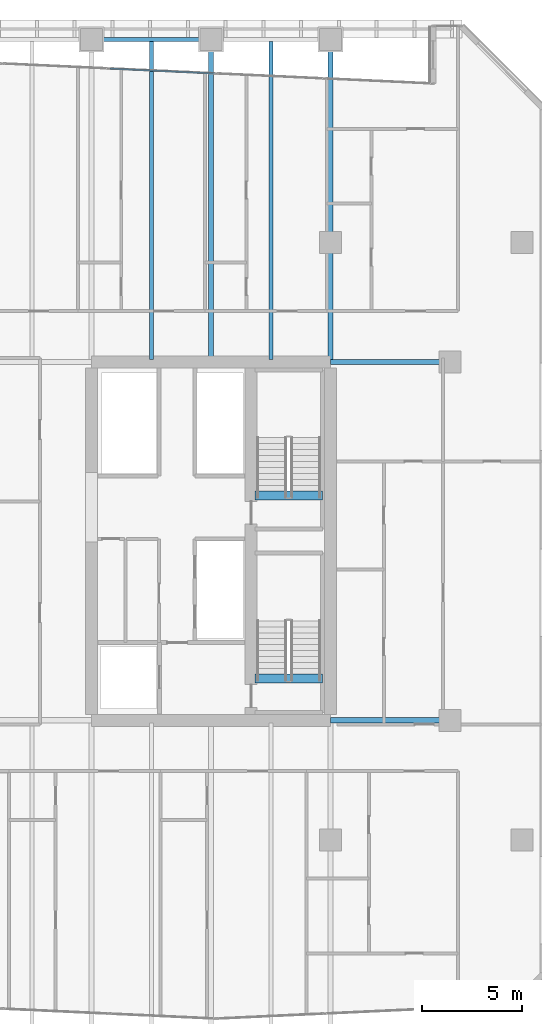
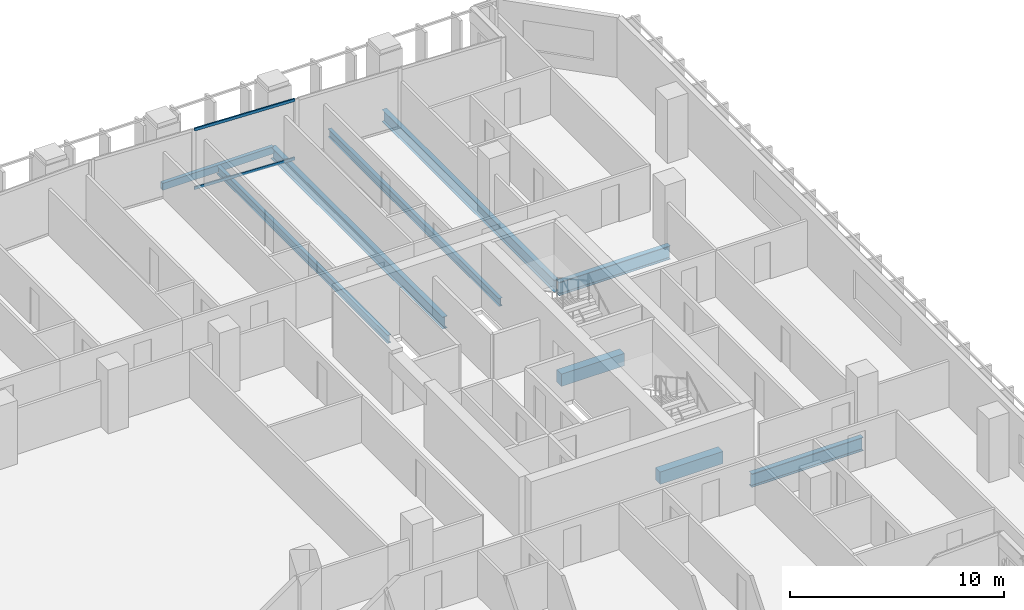
# One storey, part 17 of 32: 9 beams, 2 members, 1 element without a shape of its own.
"""IFC4 building model written with IfcOpenShell, lengths in metres."""

from ifc_helpers import new_model, si_unit, direction, frame, origin, origin_2d, place, context, subcontext, project, spatial, rectangle, hollow_rectangle, i_section, extrude, material, layer, layer_set, material_profile, profile_set, type_object, element, aggregate, save


model = new_model("IFC4")

# Units and contexts
model_context = context("Model", 3, precision=1e-05, world=origin(), true_north=direction((0.0, 1.0)))
body_context = subcontext(model_context, "Body", "Model", "MODEL_VIEW")
ifc_project = project(units=[si_unit("LENGTHUNIT", "METRE"), si_unit("AREAUNIT", "SQUARE_METRE"), si_unit("VOLUMEUNIT", "CUBIC_METRE"), si_unit("PLANEANGLEUNIT", "RADIAN"), si_unit("MASSUNIT", "GRAM", prefix="KILO")], contexts=[model_context])

# Site, building, storey
site_placement = place(None, origin())
site = spatial("IfcSite", under=ifc_project, at=site_placement, CompositionType="ELEMENT")
building_placement = place(site_placement, origin())
building = spatial("IfcBuilding", under=site, at=building_placement, Name="Tanjung Sevakor Pilgrim Tower", CompositionType="ELEMENT")
storey_placement = place(building_placement, frame((0.0, 0.0, 62.3701171875)))
storey = spatial("IfcBuildingStorey", under=building, at=storey_placement, Name="L17", CompositionType="ELEMENT", Elevation=62.3701171875)

# Beams
ifc_material_1 = material(Name="Steel S355J2", Category="steel")
ifc_material_profile_1 = material_profile(ifc_material_1, i_section(OverallWidth=0.26806640625, OverallDepth=0.769775390625, WebThickness=0.015625, FlangeThickness=0.025390625, FilletRadius=0.0166015625, at=origin_2d()))
ifc_profile_set_1 = profile_set([ifc_material_profile_1], Name="Steel S355J2")
beam_type_1 = type_object("IfcBeamType", Name="BM-B-G1-UB_762x267x197", PredefinedType="BEAM", material=ifc_profile_set_1)
for number, where, z_axis, x_axis, name in (
    (1, (90.0, 24.60009765625, -0.60498046875), (1.0, 0.0, 0.0), (0.0, 1.0, 0.0), "L17 Primary Floor Girder MAIN Y246-09"),
    (2, (90.0, 42.60009765625, -0.60498046875), (1.0, 0.0, 0.0), (0.0, 1.0, 0.0), "L17 Primary Floor Girder MAIN Y426-09"),
):
    element("IfcBeam", number, at=place(storey_placement, frame(where, z_axis=z_axis, x_axis=x_axis)), inside=storey, type_object=beam_type_1, Name=name, PredefinedType="BEAM", context=body_context, shape_type="SweptSolid", body=[
        extrude(i_section(OverallWidth=0.26806640625, OverallDepth=0.769775390625, WebThickness=0.015625, FlangeThickness=0.025390625, FilletRadius=0.0166015625, at=origin_2d()), origin(), (0.0, 0.0, 1.0), 6.0),
    ])
ifc_material_2 = material(Name="Steel S355J2", Category="steel")
ifc_material_profile_2 = material_profile(ifc_material_2, i_section(OverallWidth=0.25439453125, OverallDepth=0.6875, WebThickness=0.01318359375, FlangeThickness=0.02099609375, FilletRadius=0.01513671875, at=origin_2d()))
ifc_profile_set_2 = profile_set([ifc_material_profile_2], Name="Steel S355J2")
beam_type_2 = type_object("IfcBeamType", Name="BM-B-G2-UB_686x254x152", PredefinedType="BEAM", material=ifc_profile_set_2)
for number, where, z_axis, x_axis, name in (
    (3, (84.0, 42.73388671875, -0.56396484375), (0.0, 1.0, 0.0), (-1.0, 0.0, 0.0), "L17 MAIN Girder 042"),
    (4, (90.0, 42.73388671875, -0.56396484375), (0.0, 1.0, 0.0), (-1.0, 0.0, 0.0), "L17 MAIN Girder 046"),
):
    element("IfcBeam", number, at=place(storey_placement, frame(where, z_axis=z_axis, x_axis=x_axis)), inside=storey, type_object=beam_type_2, Name=name, PredefinedType="BEAM", context=body_context, shape_type="SweptSolid", body=[
        extrude(i_section(OverallWidth=0.25439453125, OverallDepth=0.6875, WebThickness=0.01318359375, FlangeThickness=0.02099609375, FilletRadius=0.01513671875, at=origin_2d()), origin(), (0.0, 0.0, 1.0), 16.066162109375),
    ])
ifc_material_3 = material(Name="Steel S355J2", Category="steel")
ifc_material_profile_3 = material_profile(ifc_material_3, i_section(OverallWidth=0.19140625, OverallDepth=0.4599609375, WebThickness=0.010009765625, FlangeThickness=0.01611328125, FilletRadius=0.01025390625, at=origin_2d()))
ifc_profile_set_3 = profile_set([ifc_material_profile_3], Name="Steel S355J2")
beam_type_3 = type_object("IfcBeamType", Name="BM-B-J2-UB_457x191x82", PredefinedType="JOIST", material=ifc_profile_set_3)
for number, where, z_axis, x_axis, name in (
    (5, (81.0, 42.73388671875, -0.4501953125), (0.0, 1.0, 0.0), (-1.0, 0.0, 0.0), "L17 MAIN Joist 040"),
    (6, (87.0, 42.73388671875, -0.4501953125), (0.0, 1.0, 0.0), (-1.0, 0.0, 0.0), "L17 MAIN Joist 044"),
):
    element("IfcBeam", number, at=place(storey_placement, frame(where, z_axis=z_axis, x_axis=x_axis)), inside=storey, type_object=beam_type_3, Name=name, PredefinedType="JOIST", context=body_context, shape_type="SweptSolid", body=[
        extrude(i_section(OverallWidth=0.19140625, OverallDepth=0.4599609375, WebThickness=0.010009765625, FlangeThickness=0.01611328125, FilletRadius=0.01025390625, at=origin_2d()), origin(), (0.0, 0.0, 1.0), 15.966064453125),
    ])
ifc_material_4 = material(Name="Concrete C60/75", Category="concrete")
ifc_material_profile_4 = material_profile(ifc_material_4, rectangle(XDim=0.449951171875, YDim=0.699951171875, at=origin_2d()))
ifc_profile_set_4 = profile_set([ifc_material_profile_4], Name="Concrete C60/75")
beam_type_4 = type_object("IfcBeamType", Name="BM-B-LN3-RC-BM_450x700", PredefinedType="LINTEL", material=ifc_profile_set_4)
for number, where, z_axis, x_axis, name in (
    (7, (86.199951171875, 26.699951171875, -0.35009765625), (1.0, 0.0, 0.0), (0.0, 1.0, 0.0), "L17 TS-E1 Stair Threshold Beam"),
    (8, (86.199951171875, 35.89990234375, -0.35009765625), (1.0, 0.0, 0.0), (0.0, 1.0, 0.0), "L17 TS-E2 Stair Threshold Beam"),
):
    element("IfcBeam", number, at=place(storey_placement, frame(where, z_axis=z_axis, x_axis=x_axis)), inside=storey, type_object=beam_type_4, Name=name, PredefinedType="LINTEL", context=body_context, shape_type="SweptSolid", body=[
        extrude(rectangle(XDim=0.449951171875, YDim=0.699951171875, at=origin_2d()), origin(), (0.0, 0.0, 1.0), 3.400146484375),
    ])
ifc_material_5 = material(Name="Steel S355J2", Category="steel")
ifc_material_profile_5 = material_profile(ifc_material_5, hollow_rectangle(XDim=0.199951171875, YDim=0.39990234375, WallThickness=0.01611328125, at=origin_2d()))
ifc_profile_set_5 = profile_set([ifc_material_profile_5], Name="Steel S355J2")
beam_type_5 = type_object("IfcBeamType", Name="BM-B-SP2-RHS_400x200x16", PredefinedType="SPANDREL", material=ifc_profile_set_5)
beam_placement = place(storey_placement, frame((78.0, 58.800048828125, -0.420166015625), z_axis=(1.0, 0.0, 0.0), x_axis=(0.0, 1.0, 0.0)))
element("IfcBeam", 9, at=beam_placement, inside=storey, type_object=beam_type_5, Name="L17 Spandrel MAIN N-16", PredefinedType="SPANDREL", context=body_context, shape_type="SweptSolid", body=[
    extrude(hollow_rectangle(XDim=0.199951171875, YDim=0.39990234375, WallThickness=0.01611328125, at=origin_2d()), origin(), (0.0, 0.0, 1.0), 6.0),
])

# Curtain wall, members
ifc_material_6 = material(Name="Aluminium 6063-T6 and Low-E Glass", Category="aluminium")
ifc_layer = layer(ifc_material_6, 0.199951171875)
ifc_layer_set = layer_set([ifc_layer], Name="CW-SYS-PRAY")
curtain_wall_type = type_object("IfcCurtainWallType", Name="CW-SYS-PRAY", PredefinedType="NOTDEFINED", material=ifc_layer_set)
curtain_wall_placement = place(storey_placement, origin())
curtain_wall = element("IfcCurtainWall", 10, at=curtain_wall_placement, inside=storey, type_object=curtain_wall_type, Name="L17 Curtain Wall CW-PRY-L17-21", PredefinedType="NOTDEFINED")
ifc_material_7 = material(Name="Aluminium 6063-T6", Category="aluminium")
ifc_material_profile_6 = material_profile(ifc_material_7, hollow_rectangle(XDim=0.074951171875, YDim=0.159912109375, WallThickness=0.00439453125, at=origin_2d()))
ifc_profile_set_6 = profile_set([ifc_material_profile_6], Name="Aluminium 6063-T6")
member_type = type_object("IfcMemberType", Name="TYPE-CWT-2", PredefinedType="USERDEFINED", material=ifc_profile_set_6)
member_1_placement = place(storey_placement, frame((84.168701171875, 57.083740234375, 0.037353515625), z_axis=(-0.998920086078, 0.046461399352, 0.0), x_axis=(-0.046461399352, -0.998920086078, 0.0)))
member_1 = element("IfcMember", 11, at=member_1_placement, type_object=member_type, Name="CW-PRY transom 1.1", ObjectType="TRANSOM", PredefinedType="USERDEFINED", context=body_context, shape_type="SweptSolid", body=[
    extrude(hollow_rectangle(XDim=0.074951171875, YDim=0.159912109375, WallThickness=0.00439453125, at=origin_2d()), origin(), (0.0, 0.0, 1.0), 5.26513671875),
])
member_2_placement = place(storey_placement, frame((84.168701171875, 57.083740234375, 3.372314453125), z_axis=(-0.998920086078, 0.046461399352, 0.0), x_axis=(-0.046461399352, -0.998920086078, 0.0)))
member_2 = element("IfcMember", 12, at=member_2_placement, type_object=member_type, Name="CW-PRY transom 1.2", ObjectType="TRANSOM", PredefinedType="USERDEFINED", context=body_context, shape_type="SweptSolid", body=[
    extrude(hollow_rectangle(XDim=0.074951171875, YDim=0.159912109375, WallThickness=0.00439453125, at=origin_2d()), origin(), (0.0, 0.0, 1.0), 5.26513671875),
])
aggregate(curtain_wall, [member_1, member_2])

save(model, "model.ifc")
